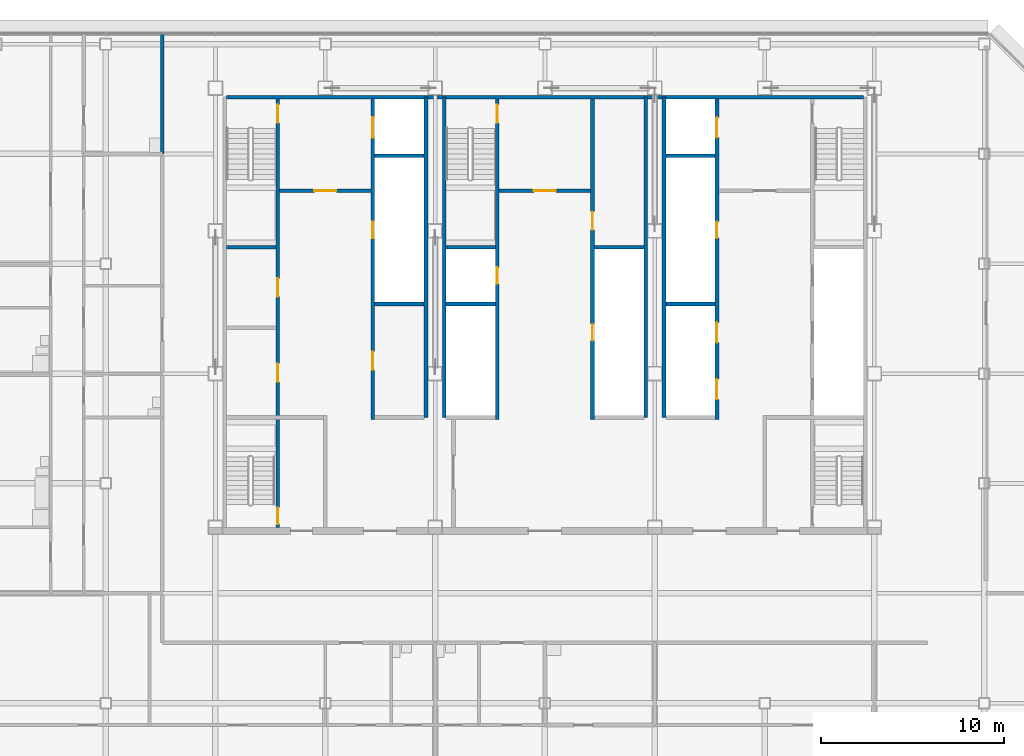
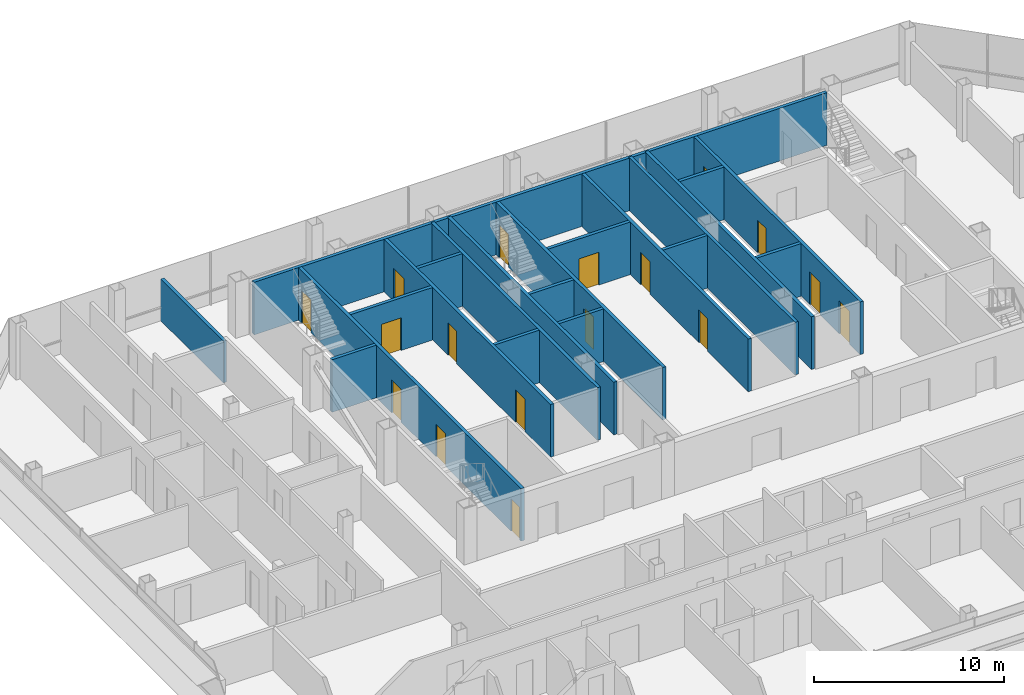
# One storey, part 23 of 27: 21 walls, 17 doors, 17 openings.
"""IFC4 building model written with IfcOpenShell, lengths in metres."""

from ifc_helpers import new_model, si_unit, direction, frame, frame_2d, origin, place, context, subcontext, project, spatial, rectangle, extrude, material, layer, layer_set, type_object, element, fill, save


model = new_model("IFC4")

# Units and contexts
model_context = context("Model", 3, precision=1e-05, world=origin(), true_north=direction((0.0, 1.0)))
body_context = subcontext(model_context, "Body", "Model", "MODEL_VIEW")
ifc_project = project(units=[si_unit("LENGTHUNIT", "METRE"), si_unit("AREAUNIT", "SQUARE_METRE"), si_unit("VOLUMEUNIT", "CUBIC_METRE"), si_unit("PLANEANGLEUNIT", "RADIAN"), si_unit("MASSUNIT", "GRAM", prefix="KILO")], contexts=[model_context])

# Site, building, storey
site_placement = place(None, origin())
site = spatial("IfcSite", under=ifc_project, at=site_placement, CompositionType="ELEMENT")
building_placement = place(site_placement, origin())
building = spatial("IfcBuilding", under=site, at=building_placement, Name="Sorahane Residences", CompositionType="ELEMENT")
storey_placement = place(building_placement, frame((0.0, 0.0, 206.39990234375)))
storey = spatial("IfcBuildingStorey", under=building, at=storey_placement, Name="L48", CompositionType="ELEMENT", Elevation=206.39990234375)

# Walls
ifc_material_1 = material(Name="Concrete C30", Category="concrete")
ifc_layer_1 = layer(ifc_material_1, 0.199951171875)
ifc_layer_set_1 = layer_set([ifc_layer_1], Name="Core face wall 200 EI 180")
wall_type_1 = type_object("IfcWallType", Name="Core face wall 200 EI 180", PredefinedType="SOLIDWALL", material=ifc_layer_set_1)
wall_1_placement = place(storey_placement, frame((6.60009765625, 45.10009765625, 0.0), z_axis=(0.0, 0.0, 1.0), x_axis=(1.0, 0.0, 0.0)))
element("IfcWall", 1, at=wall_1_placement, inside=storey, type_object=wall_type_1, Name="L48 core face wall", PredefinedType="SOLIDWALL", context=body_context, shape_type="SweptSolid", body=[
    extrude(rectangle(XDim=34.7998046875, YDim=0.199951171875, at=frame_2d((17.39990234375, 0.0))), origin(), (0.0, 0.0, 1.0), 3.380126953125),
])
for number, where, z_axis, x_axis, name in (
    (2, (17.5, 27.60009765625, 0.0), (0.0, 0.0, 1.0), (0.0, 1.0, 0.0), "L48 core face wall"),
    (3, (18.5, 27.60009765625, 0.0), (0.0, 0.0, 1.0), (0.0, 1.0, 0.0), "L48 core face wall"),
    (4, (29.5, 27.60009765625, 0.0), (0.0, 0.0, 1.0), (0.0, 1.0, 0.0), "L48 core face wall"),
    (5, (30.5, 27.60009765625, 0.0), (0.0, 0.0, 1.0), (0.0, 1.0, 0.0), "L48 core face wall"),
):
    element("IfcWall", number, at=place(storey_placement, frame(where, z_axis=z_axis, x_axis=x_axis)), inside=storey, type_object=wall_type_1, Name=name, PredefinedType="SOLIDWALL", context=body_context, shape_type="SweptSolid", body=[
        extrude(rectangle(XDim=17.5, YDim=0.199951171875, at=frame_2d((8.75, 0.0))), origin(), (0.0, 0.0, 1.0), 3.380126953125),
    ])

# Wall, opening, door
ifc_material_2 = material(Name="Concrete C30", Category="concrete")
ifc_layer_2 = layer(ifc_material_2, 0.199951171875)
ifc_layer_set_2 = layer_set([ifc_layer_2], Name="Front room wall 200 EI 120")
wall_type_2 = type_object("IfcWallType", Name="Front room wall 200 EI 120", PredefinedType="PARTITIONING", material=ifc_layer_set_2)
wall_2_placement = place(storey_placement, frame((21.5, 40.0, 0.0), z_axis=(0.0, 0.0, 1.0), x_axis=(1.0, 0.0, 0.0)))
wall_2 = element("IfcWall", 6, at=wall_2_placement, inside=storey, type_object=wall_type_2, Name="L48 front room wall", PredefinedType="PARTITIONING", context=body_context, shape_type="SweptSolid", body=[
    extrude(rectangle(XDim=5.0, YDim=0.199951171875, at=frame_2d((2.5, 0.0))), origin(), (0.0, 0.0, 1.0), 3.380126953125),
])
opening_1_placement = place(wall_2_placement, frame((1.89990234375, 0.0, 0.0)))
opening_1 = element("IfcOpeningElement", 7, at=opening_1_placement, cuts=wall_2, Name="Opening L48-C08", PredefinedType="OPENING", context=body_context, shape_type="SweptSolid", body=[
    extrude(rectangle(XDim=1.199951171875, YDim=2.10009765625, at=frame_2d((0.60009765625, 1.050048828125))), frame((0.0, 0.10986328125, 0.0), z_axis=(0.0, -1.0, 0.0), x_axis=(1.0, 0.0, 0.0)), (0.0, 0.0, 1.0), 0.219970703125),
])
ifc_material_3 = material(Name="Steel", Category="steel")
door_type_1 = type_object("IfcDoorType", Name="Front room door 1200x2100 FD120", OperationType="NOTDEFINED", PredefinedType="DOOR", material=ifc_material_3)
door_1_placement = place(opening_1_placement, frame((1.199951171875, 0.0, 0.0), z_axis=(0.0, 0.0, 1.0), x_axis=(-1.0, 0.0, 0.0)))
door_1 = element("IfcDoor", 8, at=door_1_placement, inside=storey, type_object=door_type_1, Name="Front room door Stair S3 vestibule L48", OperationType="DOUBLE_DOOR_SINGLE_SWING", OverallHeight=2.10009765625, OverallWidth=1.199951171875, PredefinedType="DOOR", context=body_context, shape_type="SweptSolid", body=[
    extrude(rectangle(XDim=1.199951171875, YDim=2.10009765625, at=frame_2d((0.60009765625, 1.050048828125))), frame((0.0, 0.02490234375, 0.0), z_axis=(0.0, -1.0, 0.0), x_axis=(1.0, 0.0, 0.0)), (0.0, 0.0, 1.0), 0.050048828125),
])
fill(opening_1, door_1)

wall_3_placement = place(storey_placement, frame((9.5, 40.0, 0.0), z_axis=(0.0, 0.0, 1.0), x_axis=(1.0, 0.0, 0.0)))
wall_3 = element("IfcWall", 9, at=wall_3_placement, inside=storey, type_object=wall_type_2, Name="L48 front room wall", PredefinedType="PARTITIONING", context=body_context, shape_type="SweptSolid", body=[
    extrude(rectangle(XDim=5.0, YDim=0.199951171875, at=frame_2d((2.5, 0.0))), origin(), (0.0, 0.0, 1.0), 3.380126953125),
])
opening_2_placement = place(wall_3_placement, frame((1.89990234375, 0.0, 0.0)))
opening_2 = element("IfcOpeningElement", 10, at=opening_2_placement, cuts=wall_3, Name="Opening L48-C07", PredefinedType="OPENING", context=body_context, shape_type="SweptSolid", body=[
    extrude(rectangle(XDim=1.199951171875, YDim=2.10009765625, at=frame_2d((0.60009765625, 1.050048828125))), frame((0.0, 0.10986328125, 0.0), z_axis=(0.0, -1.0, 0.0), x_axis=(1.0, 0.0, 0.0)), (0.0, 0.0, 1.0), 0.219970703125),
])
door_2_placement = place(opening_2_placement, frame((1.199951171875, 0.0, 0.0), z_axis=(0.0, 0.0, 1.0), x_axis=(-1.0, 0.0, 0.0)))
door_2 = element("IfcDoor", 11, at=door_2_placement, inside=storey, type_object=door_type_1, Name="Front room door Firefighting lobby FF1 front room L48", OperationType="DOUBLE_DOOR_SINGLE_SWING", OverallHeight=2.10009765625, OverallWidth=1.199951171875, PredefinedType="DOOR", context=body_context, shape_type="SweptSolid", body=[
    extrude(rectangle(XDim=1.199951171875, YDim=2.10009765625, at=frame_2d((0.60009765625, 1.050048828125))), frame((0.0, 0.02490234375, 0.0), z_axis=(0.0, -1.0, 0.0), x_axis=(1.0, 0.0, 0.0)), (0.0, 0.0, 1.0), 0.050048828125),
])
fill(opening_2, door_2)

# Wall
ifc_material_4 = material(Name="Concrete blockwork C20 wall", Category="masonry")
ifc_layer_3 = layer(ifc_material_4, 0.199951171875)
ifc_layer_set_3 = layer_set([ifc_layer_3], Name="Kitchen wall 200 EI 180")
wall_type_3 = type_object("IfcWallType", Name="Kitchen wall 200 EI 180", PredefinedType="SOLIDWALL", material=ifc_layer_set_3)
wall_4_placement = place(storey_placement, frame((3.10009765625, 42.0, 0.0), z_axis=(0.0, 0.0, 1.0), x_axis=(0.0, 1.0, 0.0)))
element("IfcWall", 12, at=wall_4_placement, inside=storey, type_object=wall_type_3, Name="L48 kitchen wall", PredefinedType="SOLIDWALL", context=body_context, shape_type="SweptSolid", body=[
    extrude(rectangle(XDim=6.60009765625, YDim=0.199951171875, at=frame_2d((3.300048828125, 0.0))), origin(), (0.0, 0.0, 1.0), 2.68017578125),
])

# Wall, openings, doors
ifc_material_5 = material(Name="Concrete C30", Category="concrete")
ifc_layer_4 = layer(ifc_material_5, 0.199951171875)
ifc_layer_set_4 = layer_set([ifc_layer_4], Name="Lift shaft wall 200 EI 120")
wall_type_4 = type_object("IfcWallType", Name="Lift shaft wall 200 EI 120", PredefinedType="SOLIDWALL", material=ifc_layer_set_4)
wall_5_placement = place(storey_placement, frame((14.60009765625, 27.5, 0.0), z_axis=(0.0, 0.0, 1.0), x_axis=(0.0, 1.0, 0.0)))
wall_5 = element("IfcWall", 13, at=wall_5_placement, inside=storey, type_object=wall_type_4, Name="L48 lift shaft wall", PredefinedType="SOLIDWALL", context=body_context, shape_type="SweptSolid", body=[
    extrude(rectangle(XDim=17.5, YDim=0.199951171875, at=frame_2d((8.75, 0.0))), origin(), (0.0, 0.0, 1.0), 3.380126953125),
])
opening_3_placement = place(wall_5_placement, frame((15.39990234375, 0.0, 0.0)))
opening_3 = element("IfcOpeningElement", 14, at=opening_3_placement, cuts=wall_5, Name="Opening L48-C16", PredefinedType="OPENING", context=body_context, shape_type="SweptSolid", body=[
    extrude(rectangle(XDim=1.10009765625, YDim=2.10009765625, at=frame_2d((0.550048828125, 1.050048828125))), frame((0.0, 0.10986328125, 0.0), z_axis=(0.0, -1.0, 0.0), x_axis=(1.0, 0.0, 0.0)), (0.0, 0.0, 1.0), 0.219970703125),
])
opening_4_placement = place(wall_5_placement, frame((2.699951171875, 0.0, 0.0)))
opening_4 = element("IfcOpeningElement", 15, at=opening_4_placement, cuts=wall_5, Name="Opening L48-C17", PredefinedType="OPENING", context=body_context, shape_type="SweptSolid", body=[
    extrude(rectangle(XDim=1.0, YDim=2.10009765625, at=frame_2d((0.5, 1.050048828125))), frame((0.0, 0.10986328125, 0.0), z_axis=(0.0, -1.0, 0.0), x_axis=(1.0, 0.0, 0.0)), (0.0, 0.0, 1.0), 0.219970703125),
])
opening_5_placement = place(wall_5_placement, frame((9.89990234375, 0.0, 0.0)))
opening_5 = element("IfcOpeningElement", 16, at=opening_5_placement, cuts=wall_5, Name="Opening L48-C25", PredefinedType="OPENING", context=body_context, shape_type="SweptSolid", body=[
    extrude(rectangle(XDim=0.89990234375, YDim=2.10009765625, at=frame_2d((0.449951171875, 1.050048828125))), frame((0.0, 0.10986328125, 0.0), z_axis=(0.0, -1.0, 0.0), x_axis=(1.0, 0.0, 0.0)), (0.0, 0.0, 1.0), 0.219970703125),
])
ifc_material_6 = material(Name="Aluminium and stainless steel", Category="steel")
door_type_2 = type_object("IfcDoorType", Name="Lift landing door 1100x2100 E 60", OperationType="NOTDEFINED", PredefinedType="DOOR", material=ifc_material_6)
door_3_placement = place(opening_3_placement, origin())
door_3 = element("IfcDoor", 17, at=door_3_placement, inside=storey, type_object=door_type_2, Name="Lift landing door FF1 L48", OperationType="DOUBLE_DOOR_SLIDING", OverallHeight=2.10009765625, OverallWidth=1.10009765625, PredefinedType="DOOR", context=body_context, shape_type="SweptSolid", body=[
    extrude(rectangle(XDim=1.10009765625, YDim=2.10009765625, at=frame_2d((0.550048828125, 1.050048828125))), frame((0.0, 0.02490234375, 0.0), z_axis=(0.0, -1.0, 0.0), x_axis=(1.0, 0.0, 0.0)), (0.0, 0.0, 1.0), 0.050048828125),
])
fill(opening_3, door_3)
ifc_material_7 = material(Name="Steel", Category="steel")
door_type_3 = type_object("IfcDoorType", Name="Riser door 900x2100 FD120", OperationType="NOTDEFINED", PredefinedType="DOOR", material=ifc_material_7)
door_4_placement = place(opening_5_placement, origin())
door_4 = element("IfcDoor", 18, at=door_4_placement, inside=storey, type_object=door_type_3, Name="Riser door R1 L48", OperationType="SINGLE_SWING_LEFT", OverallHeight=2.10009765625, OverallWidth=0.89990234375, PredefinedType="DOOR", context=body_context, shape_type="SweptSolid", body=[
    extrude(rectangle(XDim=0.89990234375, YDim=2.10009765625, at=frame_2d((0.449951171875, 1.050048828125))), frame((0.0, 0.02490234375, 0.0), z_axis=(0.0, -1.0, 0.0), x_axis=(1.0, 0.0, 0.0)), (0.0, 0.0, 1.0), 0.050048828125),
])
fill(opening_5, door_4)
ifc_material_8 = material(Name="Steel", Category="steel")
door_type_4 = type_object("IfcDoorType", Name="Service room door 1000x2100 FD60", OperationType="NOTDEFINED", PredefinedType="DOOR", material=ifc_material_8)
door_5_placement = place(opening_4_placement, frame((1.0, 0.0, 0.0), z_axis=(0.0, 0.0, 1.0), x_axis=(-1.0, 0.0, 0.0)))
door_5 = element("IfcDoor", 19, at=door_5_placement, inside=storey, type_object=door_type_4, Name="Service room door Archive L48", OperationType="SINGLE_SWING_RIGHT", OverallHeight=2.10009765625, OverallWidth=1.0, PredefinedType="DOOR", context=body_context, shape_type="SweptSolid", body=[
    extrude(rectangle(XDim=1.0, YDim=2.10009765625, at=frame_2d((0.5, 1.050048828125))), frame((0.0, 0.02490234375, 0.0), z_axis=(0.0, -1.0, 0.0), x_axis=(1.0, 0.0, 0.0)), (0.0, 0.0, 1.0), 0.050048828125),
])
fill(opening_4, door_5)

wall_6_placement = place(storey_placement, frame((33.39990234375, 27.5, 0.0), z_axis=(0.0, 0.0, 1.0), x_axis=(0.0, 1.0, 0.0)))
wall_6 = element("IfcWall", 20, at=wall_6_placement, inside=storey, type_object=wall_type_4, Name="L48 lift shaft wall", PredefinedType="SOLIDWALL", context=body_context, shape_type="SweptSolid", body=[
    extrude(rectangle(XDim=17.5, YDim=0.199951171875, at=frame_2d((8.75, 0.0))), origin(), (0.0, 0.0, 1.0), 3.380126953125),
])
opening_6_placement = place(wall_6_placement, frame((1.10009765625, 0.0, 0.0)))
opening_6 = element("IfcOpeningElement", 21, at=opening_6_placement, cuts=wall_6, Name="Opening L48-C13", PredefinedType="OPENING", context=body_context, shape_type="SweptSolid", body=[
    extrude(rectangle(XDim=1.10009765625, YDim=2.10009765625, at=frame_2d((0.550048828125, 1.050048828125))), frame((0.0, 0.10986328125, 0.0), z_axis=(0.0, -1.0, 0.0), x_axis=(1.0, 0.0, 0.0)), (0.0, 0.0, 1.0), 0.219970703125),
])
opening_7_placement = place(wall_6_placement, frame((4.199951171875, 0.0, 0.0)))
opening_7 = element("IfcOpeningElement", 22, at=opening_7_placement, cuts=wall_6, Name="Opening L48-C14", PredefinedType="OPENING", context=body_context, shape_type="SweptSolid", body=[
    extrude(rectangle(XDim=1.10009765625, YDim=2.10009765625, at=frame_2d((0.550048828125, 1.050048828125))), frame((0.0, 0.10986328125, 0.0), z_axis=(0.0, -1.0, 0.0), x_axis=(1.0, 0.0, 0.0)), (0.0, 0.0, 1.0), 0.219970703125),
])
opening_8_placement = place(wall_6_placement, frame((15.39990234375, 0.0, 0.0)))
opening_8 = element("IfcOpeningElement", 23, at=opening_8_placement, cuts=wall_6, Name="Opening L48-C15", PredefinedType="OPENING", context=body_context, shape_type="SweptSolid", body=[
    extrude(rectangle(XDim=1.10009765625, YDim=2.10009765625, at=frame_2d((0.550048828125, 1.050048828125))), frame((0.0, 0.10986328125, 0.0), z_axis=(0.0, -1.0, 0.0), x_axis=(1.0, 0.0, 0.0)), (0.0, 0.0, 1.0), 0.219970703125),
])
opening_9_placement = place(wall_6_placement, frame((9.89990234375, 0.0, 0.0)))
opening_9 = element("IfcOpeningElement", 24, at=opening_9_placement, cuts=wall_6, Name="Opening L48-C26", PredefinedType="OPENING", context=body_context, shape_type="SweptSolid", body=[
    extrude(rectangle(XDim=0.89990234375, YDim=2.10009765625, at=frame_2d((0.449951171875, 1.050048828125))), frame((0.0, 0.10986328125, 0.0), z_axis=(0.0, -1.0, 0.0), x_axis=(1.0, 0.0, 0.0)), (0.0, 0.0, 1.0), 0.219970703125),
])
door_6_placement = place(opening_6_placement, origin())
door_6 = element("IfcDoor", 25, at=door_6_placement, inside=storey, type_object=door_type_2, Name="Lift landing door HR4 L48", OperationType="DOUBLE_DOOR_SLIDING", OverallHeight=2.10009765625, OverallWidth=1.10009765625, PredefinedType="DOOR", context=body_context, shape_type="SweptSolid", body=[
    extrude(rectangle(XDim=1.10009765625, YDim=2.10009765625, at=frame_2d((0.550048828125, 1.050048828125))), frame((0.0, 0.02490234375, 0.0), z_axis=(0.0, -1.0, 0.0), x_axis=(1.0, 0.0, 0.0)), (0.0, 0.0, 1.0), 0.050048828125),
])
fill(opening_6, door_6)
door_7_placement = place(opening_7_placement, origin())
door_7 = element("IfcDoor", 26, at=door_7_placement, inside=storey, type_object=door_type_2, Name="Lift landing door HR5 L48", OperationType="DOUBLE_DOOR_SLIDING", OverallHeight=2.10009765625, OverallWidth=1.10009765625, PredefinedType="DOOR", context=body_context, shape_type="SweptSolid", body=[
    extrude(rectangle(XDim=1.10009765625, YDim=2.10009765625, at=frame_2d((0.550048828125, 1.050048828125))), frame((0.0, 0.02490234375, 0.0), z_axis=(0.0, -1.0, 0.0), x_axis=(1.0, 0.0, 0.0)), (0.0, 0.0, 1.0), 0.050048828125),
])
fill(opening_7, door_7)
door_8_placement = place(opening_8_placement, origin())
door_8 = element("IfcDoor", 27, at=door_8_placement, inside=storey, type_object=door_type_2, Name="Lift landing door FF2 L48", OperationType="DOUBLE_DOOR_SLIDING", OverallHeight=2.10009765625, OverallWidth=1.10009765625, PredefinedType="DOOR", context=body_context, shape_type="SweptSolid", body=[
    extrude(rectangle(XDim=1.10009765625, YDim=2.10009765625, at=frame_2d((0.550048828125, 1.050048828125))), frame((0.0, 0.02490234375, 0.0), z_axis=(0.0, -1.0, 0.0), x_axis=(1.0, 0.0, 0.0)), (0.0, 0.0, 1.0), 0.050048828125),
])
fill(opening_8, door_8)
door_9_placement = place(opening_9_placement, frame((0.89990234375, 0.0, 0.0), z_axis=(0.0, 0.0, 1.0), x_axis=(-1.0, 0.0, 0.0)))
door_9 = element("IfcDoor", 28, at=door_9_placement, inside=storey, type_object=door_type_3, Name="Riser door R2 L48", OperationType="SINGLE_SWING_LEFT", OverallHeight=2.10009765625, OverallWidth=0.89990234375, PredefinedType="DOOR", context=body_context, shape_type="SweptSolid", body=[
    extrude(rectangle(XDim=0.89990234375, YDim=2.10009765625, at=frame_2d((0.449951171875, 1.050048828125))), frame((0.0, 0.02490234375, 0.0), z_axis=(0.0, -1.0, 0.0), x_axis=(1.0, 0.0, 0.0)), (0.0, 0.0, 1.0), 0.050048828125),
])
fill(opening_9, door_9)

# Walls
for number, where, z_axis, x_axis, name in (
    (29, (18.60009765625, 33.800048828125, 0.0), (0.0, 0.0, 1.0), (1.0, 0.0, 0.0), "L48 lift shaft wall"),
    (30, (30.60009765625, 33.800048828125, 0.0), (0.0, 0.0, 1.0), (1.0, 0.0, 0.0), "L48 lift shaft wall"),
    (31, (14.699951171875, 41.89990234375, 0.0), (0.0, 0.0, 1.0), (1.0, 0.0, 0.0), "L48 lift shaft wall"),
    (32, (30.60009765625, 41.89990234375, 0.0), (0.0, 0.0, 1.0), (1.0, 0.0, 0.0), "L48 lift shaft wall"),
):
    element("IfcWall", number, at=place(storey_placement, frame(where, z_axis=z_axis, x_axis=x_axis)), inside=storey, type_object=wall_type_4, Name=name, PredefinedType="SOLIDWALL", context=body_context, shape_type="SweptSolid", body=[
        extrude(rectangle(XDim=2.699951171875, YDim=0.199951171875, at=frame_2d((1.35009765625, 0.0))), origin(), (0.0, 0.0, 1.0), 3.380126953125),
    ])

# Wall, openings, doors
ifc_material_9 = material(Name="Concrete C30", Category="concrete")
ifc_layer_5 = layer(ifc_material_9, 0.199951171875)
ifc_layer_set_5 = layer_set([ifc_layer_5], Name="Riser shaft wall 200 EI 120")
wall_type_5 = type_object("IfcWallType", Name="Riser shaft wall 200 EI 120", PredefinedType="SOLIDWALL", material=ifc_layer_set_5)
wall_7_placement = place(storey_placement, frame((26.60009765625, 27.5, 0.0), z_axis=(0.0, 0.0, 1.0), x_axis=(0.0, 1.0, 0.0)))
wall_7 = element("IfcWall", 33, at=wall_7_placement, inside=storey, type_object=wall_type_5, Name="L48 riser wall", PredefinedType="SOLIDWALL", context=body_context, shape_type="SweptSolid", body=[
    extrude(rectangle(XDim=17.5, YDim=0.199951171875, at=frame_2d((8.75, 0.0))), origin(), (0.0, 0.0, 1.0), 3.380126953125),
])
opening_10_placement = place(wall_7_placement, frame((4.300048828125, 0.0, 0.0)))
opening_10 = element("IfcOpeningElement", 34, at=opening_10_placement, cuts=wall_7, Name="Opening L48-C28", PredefinedType="OPENING", context=body_context, shape_type="SweptSolid", body=[
    extrude(rectangle(XDim=0.89990234375, YDim=2.10009765625, at=frame_2d((0.449951171875, 1.050048828125))), frame((0.0, 0.10986328125, 0.0), z_axis=(0.0, -1.0, 0.0), x_axis=(1.0, 0.0, 0.0)), (0.0, 0.0, 1.0), 0.219970703125),
])
opening_11_placement = place(wall_7_placement, frame((10.35009765625, 0.0, 0.0)))
opening_11 = element("IfcOpeningElement", 35, at=opening_11_placement, cuts=wall_7, Name="Opening L48-C29", PredefinedType="OPENING", context=body_context, shape_type="SweptSolid", body=[
    extrude(rectangle(XDim=1.0, YDim=2.10009765625, at=frame_2d((0.5, 1.050048828125))), frame((0.0, 0.10986328125, 0.0), z_axis=(0.0, -1.0, 0.0), x_axis=(1.0, 0.0, 0.0)), (0.0, 0.0, 1.0), 0.219970703125),
])
door_10_placement = place(opening_10_placement, origin())
door_10 = element("IfcDoor", 36, at=door_10_placement, inside=storey, type_object=door_type_3, Name="Riser door R4 L48", OperationType="SINGLE_SWING_LEFT", OverallHeight=2.10009765625, OverallWidth=0.89990234375, PredefinedType="DOOR", context=body_context, shape_type="SweptSolid", body=[
    extrude(rectangle(XDim=0.89990234375, YDim=2.10009765625, at=frame_2d((0.449951171875, 1.050048828125))), frame((0.0, 0.02490234375, 0.0), z_axis=(0.0, -1.0, 0.0), x_axis=(1.0, 0.0, 0.0)), (0.0, 0.0, 1.0), 0.050048828125),
])
fill(opening_10, door_10)
door_11_placement = place(opening_11_placement, frame((1.0, 0.0, 0.0), z_axis=(0.0, 0.0, 1.0), x_axis=(-1.0, 0.0, 0.0)))
door_11 = element("IfcDoor", 37, at=door_11_placement, inside=storey, type_object=door_type_4, Name="Service room door Housekeeping store L48", OperationType="SINGLE_SWING_LEFT", OverallHeight=2.10009765625, OverallWidth=1.0, PredefinedType="DOOR", context=body_context, shape_type="SweptSolid", body=[
    extrude(rectangle(XDim=1.0, YDim=2.10009765625, at=frame_2d((0.5, 1.050048828125))), frame((0.0, 0.02490234375, 0.0), z_axis=(0.0, -1.0, 0.0), x_axis=(1.0, 0.0, 0.0)), (0.0, 0.0, 1.0), 0.050048828125),
])
fill(opening_11, door_11)

# Walls
for number, where, z_axis, x_axis, name in (
    (38, (14.699951171875, 33.800048828125, 0.0), (0.0, 0.0, 1.0), (1.0, 0.0, 0.0), "L48 riser wall"),
    (39, (26.699951171875, 36.89990234375, 0.0), (0.0, 0.0, 1.0), (1.0, 0.0, 0.0), "L48 riser wall"),
):
    element("IfcWall", number, at=place(storey_placement, frame(where, z_axis=z_axis, x_axis=x_axis)), inside=storey, type_object=wall_type_5, Name=name, PredefinedType="SOLIDWALL", context=body_context, shape_type="SweptSolid", body=[
        extrude(rectangle(XDim=2.699951171875, YDim=0.199951171875, at=frame_2d((1.35009765625, 0.0))), origin(), (0.0, 0.0, 1.0), 3.380126953125),
    ])

# Wall, openings, doors
ifc_material_10 = material(Name="Concrete C30", Category="concrete")
ifc_layer_6 = layer(ifc_material_10, 0.199951171875)
ifc_layer_set_6 = layer_set([ifc_layer_6], Name="Stair enclosure wall 200 EI 120")
wall_type_6 = type_object("IfcWallType", Name="Stair enclosure wall 200 EI 120", PredefinedType="SOLIDWALL", material=ifc_layer_set_6)
wall_8_placement = place(storey_placement, frame((21.39990234375, 27.5, 0.0), z_axis=(0.0, 0.0, 1.0), x_axis=(0.0, 1.0, 0.0)))
wall_8 = element("IfcWall", 40, at=wall_8_placement, inside=storey, type_object=wall_type_6, Name="L48 stair enclosure wall", PredefinedType="SOLIDWALL", context=body_context, shape_type="SweptSolid", body=[
    extrude(rectangle(XDim=17.5, YDim=0.199951171875, at=frame_2d((8.75, 0.0))), origin(), (0.0, 0.0, 1.0), 3.380126953125),
])
opening_12_placement = place(wall_8_placement, frame((16.199951171875, 0.0, 0.0)))
opening_12 = element("IfcOpeningElement", 41, at=opening_12_placement, cuts=wall_8, Name="Opening L48-C22", PredefinedType="OPENING", context=body_context, shape_type="SweptSolid", body=[
    extrude(rectangle(XDim=1.0, YDim=2.10009765625, at=frame_2d((0.5, 1.050048828125))), frame((0.0, 0.10986328125, 0.0), z_axis=(0.0, -1.0, 0.0), x_axis=(1.0, 0.0, 0.0)), (0.0, 0.0, 1.0), 0.219970703125),
])
opening_13_placement = place(wall_8_placement, frame((7.39990234375, 0.0, 0.0)))
opening_13 = element("IfcOpeningElement", 42, at=opening_13_placement, cuts=wall_8, Name="Opening L48-C27", PredefinedType="OPENING", context=body_context, shape_type="SweptSolid", body=[
    extrude(rectangle(XDim=0.89990234375, YDim=2.10009765625, at=frame_2d((0.449951171875, 1.050048828125))), frame((0.0, 0.10986328125, 0.0), z_axis=(0.0, -1.0, 0.0), x_axis=(1.0, 0.0, 0.0)), (0.0, 0.0, 1.0), 0.219970703125),
])
door_12_placement = place(opening_13_placement, frame((0.89990234375, 0.0, 0.0), z_axis=(0.0, 0.0, 1.0), x_axis=(-1.0, 0.0, 0.0)))
door_12 = element("IfcDoor", 43, at=door_12_placement, inside=storey, type_object=door_type_3, Name="Riser door R3 L48", OperationType="SINGLE_SWING_LEFT", OverallHeight=2.10009765625, OverallWidth=0.89990234375, PredefinedType="DOOR", context=body_context, shape_type="SweptSolid", body=[
    extrude(rectangle(XDim=0.89990234375, YDim=2.10009765625, at=frame_2d((0.449951171875, 1.050048828125))), frame((0.0, 0.02490234375, 0.0), z_axis=(0.0, -1.0, 0.0), x_axis=(1.0, 0.0, 0.0)), (0.0, 0.0, 1.0), 0.050048828125),
])
fill(opening_13, door_12)
ifc_material_11 = material(Name="Steel", Category="steel")
door_type_5 = type_object("IfcDoorType", Name="Stair door 1000x2100 FD120", OperationType="NOTDEFINED", PredefinedType="DOOR", material=ifc_material_11)
door_13_placement = place(opening_12_placement, origin())
door_13 = element("IfcDoor", 44, at=door_13_placement, inside=storey, type_object=door_type_5, Name="Stair door S3 L48", OperationType="SINGLE_SWING_LEFT", OverallHeight=2.10009765625, OverallWidth=1.0, PredefinedType="DOOR", context=body_context, shape_type="SweptSolid", body=[
    extrude(rectangle(XDim=1.0, YDim=2.10009765625, at=frame_2d((0.5, 1.050048828125))), frame((0.0, 0.02490234375, 0.0), z_axis=(0.0, -1.0, 0.0), x_axis=(1.0, 0.0, 0.0)), (0.0, 0.0, 1.0), 0.050048828125),
])
fill(opening_12, door_13)

wall_9_placement = place(storey_placement, frame((9.39990234375, 21.60009765625, 0.0), z_axis=(0.0, 0.0, 1.0), x_axis=(0.0, 1.0, 0.0)))
wall_9 = element("IfcWall", 45, at=wall_9_placement, inside=storey, type_object=wall_type_6, Name="L48 stair enclosure wall", PredefinedType="SOLIDWALL", context=body_context, shape_type="SweptSolid", body=[
    extrude(rectangle(XDim=23.39990234375, YDim=0.199951171875, at=frame_2d((11.699951171875, 0.0))), origin(), (0.0, 0.0, 1.0), 3.380126953125),
])
opening_14_placement = place(wall_9_placement, frame((7.949951171875, 0.0, 0.0)))
opening_14 = element("IfcOpeningElement", 46, at=opening_14_placement, cuts=wall_9, Name="Opening L48-C18", PredefinedType="OPENING", context=body_context, shape_type="SweptSolid", body=[
    extrude(rectangle(XDim=1.0, YDim=2.10009765625, at=frame_2d((0.5, 1.050048828125))), frame((0.0, 0.10986328125, 0.0), z_axis=(0.0, -1.0, 0.0), x_axis=(1.0, 0.0, 0.0)), (0.0, 0.0, 1.0), 0.219970703125),
])
opening_15_placement = place(wall_9_placement, frame((12.60009765625, 0.0, 0.0)))
opening_15 = element("IfcOpeningElement", 47, at=opening_15_placement, cuts=wall_9, Name="Opening L48-C19", PredefinedType="OPENING", context=body_context, shape_type="SweptSolid", body=[
    extrude(rectangle(XDim=1.0, YDim=2.10009765625, at=frame_2d((0.5, 1.050048828125))), frame((0.0, 0.10986328125, 0.0), z_axis=(0.0, -1.0, 0.0), x_axis=(1.0, 0.0, 0.0)), (0.0, 0.0, 1.0), 0.219970703125),
])
opening_16_placement = place(wall_9_placement, frame((22.10009765625, 0.0, 0.0)))
opening_16 = element("IfcOpeningElement", 48, at=opening_16_placement, cuts=wall_9, Name="Opening L48-C20", PredefinedType="OPENING", context=body_context, shape_type="SweptSolid", body=[
    extrude(rectangle(XDim=1.0, YDim=2.10009765625, at=frame_2d((0.5, 1.050048828125))), frame((0.0, 0.10986328125, 0.0), z_axis=(0.0, -1.0, 0.0), x_axis=(1.0, 0.0, 0.0)), (0.0, 0.0, 1.0), 0.219970703125),
])
opening_17_placement = place(wall_9_placement, frame((0.175048828125, 0.0, 0.0)))
opening_17 = element("IfcOpeningElement", 49, at=opening_17_placement, cuts=wall_9, Name="Opening L48-C23", PredefinedType="OPENING", context=body_context, shape_type="SweptSolid", body=[
    extrude(rectangle(XDim=0.89990234375, YDim=2.10009765625, at=frame_2d((0.449951171875, 1.050048828125))), frame((0.0, 0.10986328125, 0.0), z_axis=(0.0, -1.0, 0.0), x_axis=(1.0, 0.0, 0.0)), (0.0, 0.0, 1.0), 0.219970703125),
])
door_14_placement = place(opening_14_placement, origin())
door_14 = element("IfcDoor", 50, at=door_14_placement, inside=storey, type_object=door_type_4, Name="Service room door Archive L48", OperationType="SINGLE_SWING_LEFT", OverallHeight=2.10009765625, OverallWidth=1.0, PredefinedType="DOOR", context=body_context, shape_type="SweptSolid", body=[
    extrude(rectangle(XDim=1.0, YDim=2.10009765625, at=frame_2d((0.5, 1.050048828125))), frame((0.0, 0.02490234375, 0.0), z_axis=(0.0, -1.0, 0.0), x_axis=(1.0, 0.0, 0.0)), (0.0, 0.0, 1.0), 0.050048828125),
])
fill(opening_14, door_14)
door_15_placement = place(opening_15_placement, origin())
door_15 = element("IfcDoor", 51, at=door_15_placement, inside=storey, type_object=door_type_4, Name="Service room door Flower room L48", OperationType="SINGLE_SWING_RIGHT", OverallHeight=2.10009765625, OverallWidth=1.0, PredefinedType="DOOR", context=body_context, shape_type="SweptSolid", body=[
    extrude(rectangle(XDim=1.0, YDim=2.10009765625, at=frame_2d((0.5, 1.050048828125))), frame((0.0, 0.02490234375, 0.0), z_axis=(0.0, -1.0, 0.0), x_axis=(1.0, 0.0, 0.0)), (0.0, 0.0, 1.0), 0.050048828125),
])
fill(opening_15, door_15)
door_16_placement = place(opening_16_placement, origin())
door_16 = element("IfcDoor", 52, at=door_16_placement, inside=storey, type_object=door_type_5, Name="Stair door S1 L48", OperationType="SINGLE_SWING_LEFT", OverallHeight=2.10009765625, OverallWidth=1.0, PredefinedType="DOOR", context=body_context, shape_type="SweptSolid", body=[
    extrude(rectangle(XDim=1.0, YDim=2.10009765625, at=frame_2d((0.5, 1.050048828125))), frame((0.0, 0.02490234375, 0.0), z_axis=(0.0, -1.0, 0.0), x_axis=(1.0, 0.0, 0.0)), (0.0, 0.0, 1.0), 0.050048828125),
])
fill(opening_16, door_16)
ifc_material_12 = material(Name="Steel", Category="steel")
door_type_6 = type_object("IfcDoorType", Name="Stair door 900x2100 FD120", OperationType="NOTDEFINED", PredefinedType="DOOR", material=ifc_material_12)
door_17_placement = place(opening_17_placement, origin())
door_17 = element("IfcDoor", 53, at=door_17_placement, inside=storey, type_object=door_type_6, Name="Stair door S4 L48", OperationType="SINGLE_SWING_LEFT", OverallHeight=2.10009765625, OverallWidth=0.89990234375, PredefinedType="DOOR", context=body_context, shape_type="SweptSolid", body=[
    extrude(rectangle(XDim=0.89990234375, YDim=2.10009765625, at=frame_2d((0.449951171875, 1.050048828125))), frame((0.0, 0.02490234375, 0.0), z_axis=(0.0, -1.0, 0.0), x_axis=(1.0, 0.0, 0.0)), (0.0, 0.0, 1.0), 0.050048828125),
])
fill(opening_17, door_17)

# Walls
for number, where, z_axis, x_axis, name in (
    (54, (18.60009765625, 36.89990234375, 0.0), (0.0, 0.0, 1.0), (1.0, 0.0, 0.0), "L48 stair enclosure wall"),
    (55, (6.60009765625, 36.89990234375, 0.0), (0.0, 0.0, 1.0), (1.0, 0.0, 0.0), "L48 stair enclosure wall"),
):
    element("IfcWall", number, at=place(storey_placement, frame(where, z_axis=z_axis, x_axis=x_axis)), inside=storey, type_object=wall_type_6, Name=name, PredefinedType="SOLIDWALL", context=body_context, shape_type="SweptSolid", body=[
        extrude(rectangle(XDim=2.699951171875, YDim=0.199951171875, at=frame_2d((1.35009765625, 0.0))), origin(), (0.0, 0.0, 1.0), 3.380126953125),
    ])

save(model, "model.ifc")
